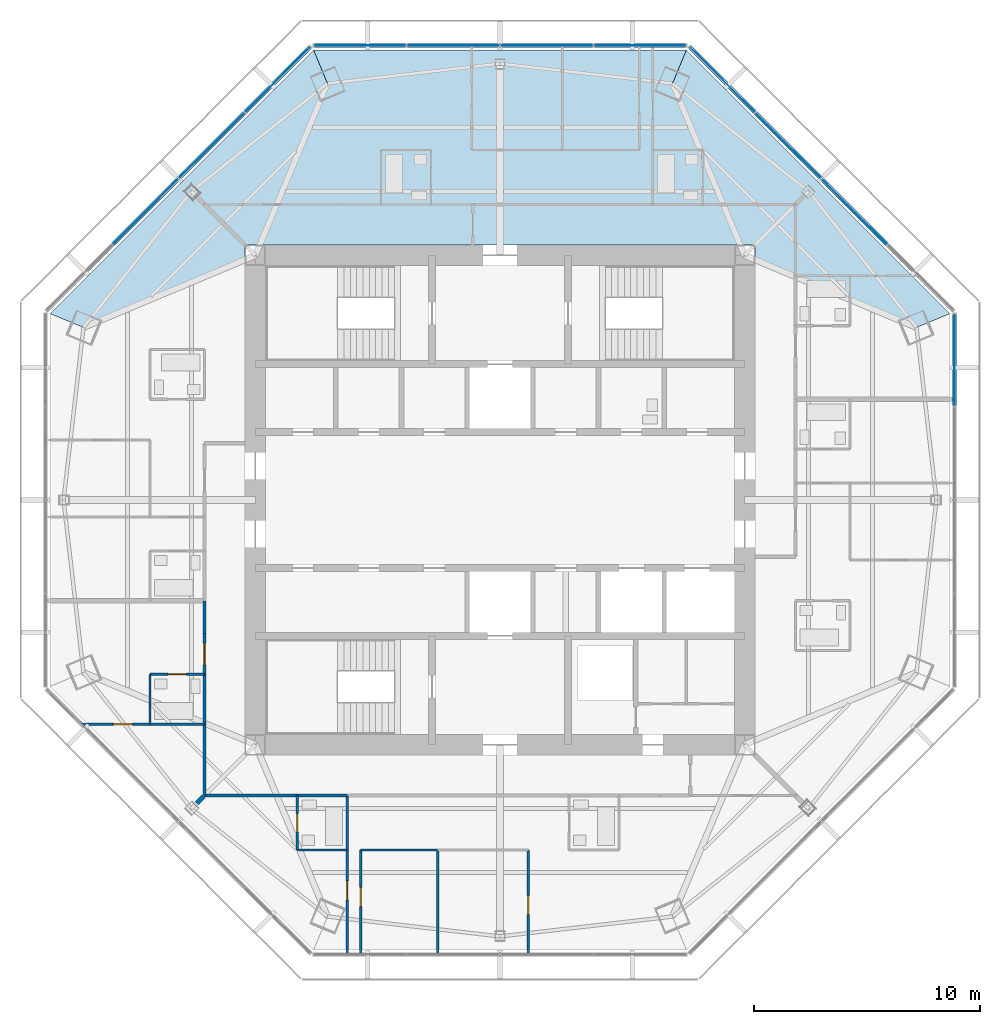
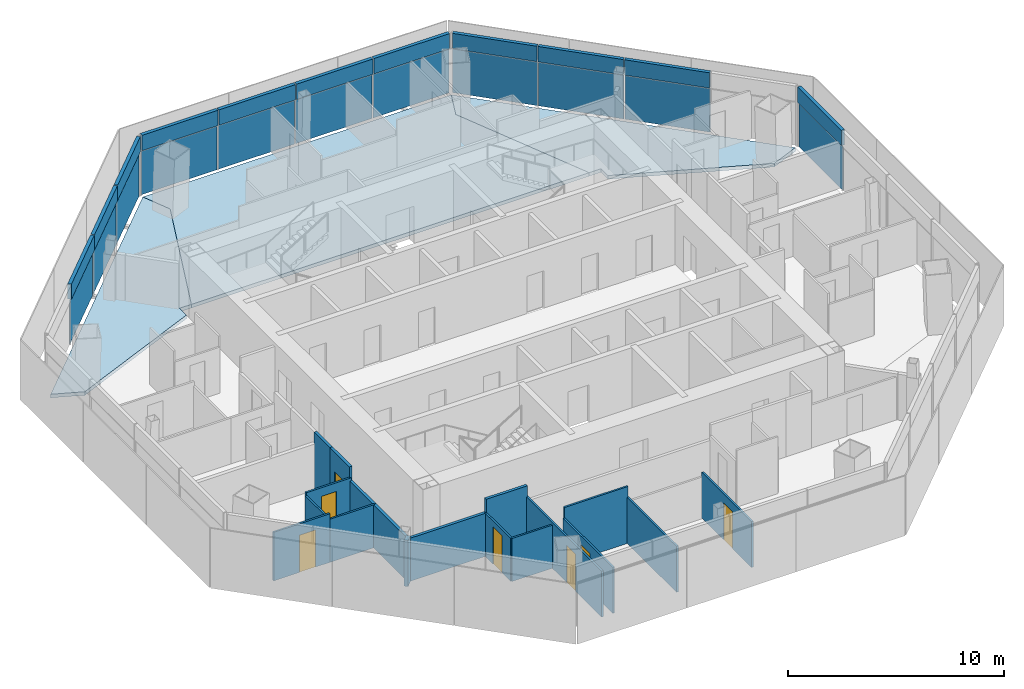
# One storey, part 9 of 15: 22 plates, 18 walls, 7 doors, 3 slabs, 7 openings, 4 elements without a shape of their own.
"""IFC4 building model written with IfcOpenShell, lengths in metres."""

from ifc_helpers import new_model, si_unit, direction, frame, frame_2d, origin, origin_2d, place, context, subcontext, project, spatial, polyline, rectangle, outline, extrude, source, transform, mapped, material, layer, layer_set, type_object, type_shapes, element, fill, aggregate, save


model = new_model("IFC4")

# Units and contexts
model_context = context("Model", 3, precision=1e-05, world=origin(), true_north=direction((0.0, 1.0)))
body_context = subcontext(model_context, "Body", "Model", "MODEL_VIEW")
ifc_project = project(units=[si_unit("LENGTHUNIT", "METRE"), si_unit("AREAUNIT", "SQUARE_METRE"), si_unit("VOLUMEUNIT", "CUBIC_METRE"), si_unit("PLANEANGLEUNIT", "RADIAN"), si_unit("MASSUNIT", "GRAM", prefix="KILO")], contexts=[model_context])

# Site, building, storey
site_placement = place(None, origin())
site = spatial("IfcSite", under=ifc_project, at=site_placement, CompositionType="ELEMENT")
building_placement = place(site_placement, origin())
building = spatial("IfcBuilding", under=site, at=building_placement, Name="Mashrafa Tower", CompositionType="ELEMENT")
storey_placement = place(building_placement, frame((0.0, 0.0, 281.0)))
storey = spatial("IfcBuildingStorey", under=building, at=storey_placement, Name="L68", CompositionType="ELEMENT", Elevation=281.0)

# Slabs
ifc_material_1 = material(Name="Concrete C35/45", Category="concrete")
ifc_layer_1 = layer(ifc_material_1, 0.199951171875)
ifc_layer_set_1 = layer_set([ifc_layer_1], Name="Floor slab 200")
slab_type = type_object("IfcSlabType", Name="Floor slab 200", PredefinedType="FLOOR", material=ifc_layer_set_1)
slab_1_placement = place(storey_placement, frame((0.0, 0.0, -0.199951171875)))
element("IfcSlab", 1, at=slab_1_placement, inside=storey, type_object=slab_type, Name="Floor slab L68 north-east bay", PredefinedType="FLOOR", context=body_context, shape_type="SweptSolid", body=[
    extrude(outline(polyline([(19.86572265625, 8.228515625), (18.39306640625, 7.61865234375), (11.25, 10.611572265625), (11.25, 11.25), (10.611572265625, 11.25), (7.61865234375, 18.39306640625), (8.228515625, 19.86572265625), (19.86572265625, 8.228515625)])), origin(), (0.0, 0.0, 1.0), 0.199951171875),
])
slab_2_placement = place(storey_placement, frame((0.0, 0.0, -0.199951171875)))
element("IfcSlab", 2, at=slab_2_placement, inside=storey, type_object=slab_type, Name="Floor slab L68 north bay", PredefinedType="FLOOR", context=body_context, shape_type="SweptSolid", body=[
    extrude(outline(polyline([(-8.228515625, 19.86572265625), (8.228515625, 19.86572265625), (8.228515625, 19.86572265625), (7.61865234375, 18.39306640625), (10.611572265625, 11.25), (-10.611572265625, 11.25), (-7.61865234375, 18.39306640625), (-8.228515625, 19.86572265625), (-8.228515625, 19.86572265625)])), origin(), (0.0, 0.0, 1.0), 0.199951171875),
])
slab_3_placement = place(storey_placement, frame((0.0, 0.0, -0.199951171875)))
element("IfcSlab", 3, at=slab_3_placement, inside=storey, type_object=slab_type, Name="Floor slab L68 north-west bay", PredefinedType="FLOOR", context=body_context, shape_type="SweptSolid", body=[
    extrude(outline(polyline([(-8.228515625, 19.86572265625), (-7.61865234375, 18.39306640625), (-10.611572265625, 11.25), (-11.25, 11.25), (-11.25, 10.611572265625), (-18.39306640625, 7.61865234375), (-19.86572265625, 8.228515625), (-8.228515625, 19.86572265625)])), origin(), (0.0, 0.0, 1.0), 0.199951171875),
])

# Curtain wall, plate
ifc_material_2 = material(Name="Unitised aluminium curtain wall", Category="aluminium")
curtain_wall_type = type_object("IfcCurtainWallType", Name="Apartment curtain wall, zone 4 CW-D 160 deep", PredefinedType="NOTDEFINED", material=ifc_material_2)
curtain_wall_1_placement = place(storey_placement, origin())
curtain_wall_1 = element("IfcCurtainWall", 4, at=curtain_wall_1_placement, inside=storey, type_object=curtain_wall_type, Name="Apartment curtain wall, zone 4 L68 east", PredefinedType="NOTDEFINED")
ifc_material_3 = material(Name="Insulated double glazing, acoustic", Category="glass")
ifc_layer_2 = layer(ifc_material_3, 0.028076171875)
ifc_layer_set_2 = layer_set([ifc_layer_2], Name="Vision panel CW-D 28")
plate_type_1 = type_object("IfcPlateType", Name="Vision panel CW-D 28", PredefinedType="CURTAIN_PANEL", material=ifc_layer_set_2)
shared_shape_1 = source(origin(), body_context, "Body", "SweptSolid", [
    extrude(rectangle(XDim=4.044189453125, YDim=0.028076171875, at=origin_2d()), origin(), (0.0, 0.0, 1.0), 2.46240234375),
])
plate_1_placement = place(storey_placement, frame((20.065673828125, 6.186279296875, 0.0), z_axis=(0.0, 0.0, 1.0), x_axis=(0.0, 1.0, 0.0)))
plate_1 = element("IfcPlate", 5, at=plate_1_placement, type_object=plate_type_1, Name="CW-D vision panel 4", PredefinedType="CURTAIN_PANEL", context=body_context, shape_type="MappedRepresentation", body=[
    mapped(shared_shape_1, transform((0.0, 0.0, 0.0))),
])

curtain_wall_2_placement = place(storey_placement, origin())
curtain_wall_2 = element("IfcCurtainWall", 6, at=curtain_wall_2_placement, inside=storey, type_object=curtain_wall_type, Name="Apartment curtain wall, zone 4 L68 north-east", PredefinedType="NOTDEFINED")
plate_2_placement = place(storey_placement, frame((9.814208984375, 18.56298828125, 0.0), z_axis=(0.0, 0.0, 1.0), x_axis=(-0.707106781187, 0.707106781187, 0.0)))
plate_2 = element("IfcPlate", 7, at=plate_2_placement, type_object=plate_type_1, Name="CW-D vision panel 4", PredefinedType="CURTAIN_PANEL", context=body_context, shape_type="MappedRepresentation", body=[
    mapped(shared_shape_1, transform((0.0, 0.0, 0.0))),
])

# Curtain wall, plates
curtain_wall_3_placement = place(storey_placement, origin())
curtain_wall_3 = element("IfcCurtainWall", 8, at=curtain_wall_3_placement, inside=storey, type_object=curtain_wall_type, Name="Apartment curtain wall, zone 4 L68 north", PredefinedType="NOTDEFINED")
plate_3_placement = place(storey_placement, frame((6.186279296875, 20.065673828125, 0.0), z_axis=(0.0, 0.0, 1.0), x_axis=(-1.0, 0.0, 0.0)))
plate_3 = element("IfcPlate", 9, at=plate_3_placement, type_object=plate_type_1, Name="CW-D vision panel 1", PredefinedType="CURTAIN_PANEL", context=body_context, shape_type="MappedRepresentation", body=[
    mapped(shared_shape_1, transform((0.0, 0.0, 0.0))),
])
plate_4_placement = place(storey_placement, frame((-6.186279296875, 20.065673828125, 0.0), z_axis=(0.0, 0.0, 1.0), x_axis=(-1.0, 0.0, 0.0)))
plate_4 = element("IfcPlate", 10, at=plate_4_placement, type_object=plate_type_1, Name="CW-D vision panel 4", PredefinedType="CURTAIN_PANEL", context=body_context, shape_type="MappedRepresentation", body=[
    mapped(shared_shape_1, transform((0.0, 0.0, 0.0))),
])

# Curtain wall, plate
curtain_wall_4_placement = place(storey_placement, origin())
curtain_wall_4 = element("IfcCurtainWall", 11, at=curtain_wall_4_placement, inside=storey, type_object=curtain_wall_type, Name="Apartment curtain wall, zone 4 L68 north-west", PredefinedType="NOTDEFINED")
plate_5_placement = place(storey_placement, frame((-9.814208984375, 18.56298828125, 0.0), z_axis=(0.0, 0.0, 1.0), x_axis=(-0.707106781187, -0.707106781187, 0.0)))
plate_5 = element("IfcPlate", 12, at=plate_5_placement, type_object=plate_type_1, Name="CW-D vision panel 1", PredefinedType="CURTAIN_PANEL", context=body_context, shape_type="MappedRepresentation", body=[
    mapped(shared_shape_1, transform((0.0, 0.0, 0.0))),
])

# Plate
ifc_material_4 = material(Name="Insulated bronze aluminium spandrel panel", Category="aluminium")
ifc_layer_3 = layer(ifc_material_4, 0.179931640625)
ifc_layer_set_3 = layer_set([ifc_layer_3], Name="Spandrel panel CW-D 180")
plate_type_2 = type_object("IfcPlateType", Name="Spandrel panel CW-D 180", PredefinedType="CURTAIN_PANEL", material=ifc_layer_set_3)
shared_shape_2 = source(origin(), body_context, "Body", "SweptSolid", [
    extrude(rectangle(XDim=4.044189453125, YDim=0.179931640625, at=origin_2d()), origin(), (0.0, 0.0, 1.0), 0.862548828125),
])
plate_6_placement = place(storey_placement, frame((20.065673828125, 6.186279296875, 2.53759765625), z_axis=(0.0, 0.0, 1.0), x_axis=(0.0, 1.0, 0.0)))
plate_6 = element("IfcPlate", 13, at=plate_6_placement, type_object=plate_type_2, Name="CW-D spandrel panel 4", PredefinedType="CURTAIN_PANEL", context=body_context, shape_type="MappedRepresentation", body=[
    mapped(shared_shape_2, transform((0.0, 0.0, 0.0))),
])

aggregate(curtain_wall_1, [plate_1, plate_6])

plate_7_placement = place(storey_placement, frame((9.814208984375, 18.56298828125, 2.53759765625), z_axis=(0.0, 0.0, 1.0), x_axis=(-0.707106781187, 0.707106781187, 0.0)))
plate_7 = element("IfcPlate", 14, at=plate_7_placement, type_object=plate_type_2, Name="CW-D spandrel panel 4", PredefinedType="CURTAIN_PANEL", context=body_context, shape_type="MappedRepresentation", body=[
    mapped(shared_shape_2, transform((0.0, 0.0, 0.0))),
])

plate_8_placement = place(storey_placement, frame((6.186279296875, 20.065673828125, 2.53759765625), z_axis=(0.0, 0.0, 1.0), x_axis=(-1.0, 0.0, 0.0)))
plate_8 = element("IfcPlate", 15, at=plate_8_placement, type_object=plate_type_2, Name="CW-D spandrel panel 1", PredefinedType="CURTAIN_PANEL", context=body_context, shape_type="MappedRepresentation", body=[
    mapped(shared_shape_2, transform((0.0, 0.0, 0.0))),
])

plate_9_placement = place(storey_placement, frame((-6.186279296875, 20.065673828125, 2.53759765625), z_axis=(0.0, 0.0, 1.0), x_axis=(-1.0, 0.0, 0.0)))
plate_9 = element("IfcPlate", 16, at=plate_9_placement, type_object=plate_type_2, Name="CW-D spandrel panel 4", PredefinedType="CURTAIN_PANEL", context=body_context, shape_type="MappedRepresentation", body=[
    mapped(shared_shape_2, transform((0.0, 0.0, 0.0))),
])

plate_10_placement = place(storey_placement, frame((-9.814208984375, 18.56298828125, 2.53759765625), z_axis=(0.0, 0.0, 1.0), x_axis=(-0.707106781187, -0.707106781187, 0.0)))
plate_10 = element("IfcPlate", 17, at=plate_10_placement, type_object=plate_type_2, Name="CW-D spandrel panel 1", PredefinedType="CURTAIN_PANEL", context=body_context, shape_type="MappedRepresentation", body=[
    mapped(shared_shape_2, transform((0.0, 0.0, 0.0))),
])

shared_shape_3 = source(origin(), body_context, "Body", "SweptSolid", [
    extrude(rectangle(XDim=4.07421875, YDim=0.028076171875, at=origin_2d()), origin(), (0.0, 0.0, 1.0), 2.46240234375),
])
type_shapes(plate_type_1, [shared_shape_1, shared_shape_3])
plate_11_placement = place(storey_placement, frame((15.650146484375, 12.726806640625, 0.0), z_axis=(0.0, 0.0, 1.0), x_axis=(-0.707106781187, 0.707106781187, 0.0)))
plate_11 = element("IfcPlate", 18, at=plate_11_placement, type_object=plate_type_1, Name="CW-D vision panel 2", PredefinedType="CURTAIN_PANEL", context=body_context, shape_type="MappedRepresentation", body=[
    mapped(shared_shape_3, transform((0.0, 0.0, 0.0))),
])

plate_12_placement = place(storey_placement, frame((12.726806640625, 15.650146484375, 0.0), z_axis=(0.0, 0.0, 1.0), x_axis=(-0.707106781187, 0.707106781187, 0.0)))
plate_12 = element("IfcPlate", 19, at=plate_12_placement, type_object=plate_type_1, Name="CW-D vision panel 3", PredefinedType="CURTAIN_PANEL", context=body_context, shape_type="MappedRepresentation", body=[
    mapped(shared_shape_3, transform((0.0, 0.0, 0.0))),
])

plate_13_placement = place(storey_placement, frame((2.067138671875, 20.065673828125, 0.0), z_axis=(0.0, 0.0, 1.0), x_axis=(-1.0, 0.0, 0.0)))
plate_13 = element("IfcPlate", 20, at=plate_13_placement, type_object=plate_type_1, Name="CW-D vision panel 2", PredefinedType="CURTAIN_PANEL", context=body_context, shape_type="MappedRepresentation", body=[
    mapped(shared_shape_3, transform((0.0, 0.0, 0.0))),
])

plate_14_placement = place(storey_placement, frame((-2.067138671875, 20.065673828125, 0.0), z_axis=(0.0, 0.0, 1.0), x_axis=(-1.0, 0.0, 0.0)))
plate_14 = element("IfcPlate", 21, at=plate_14_placement, type_object=plate_type_1, Name="CW-D vision panel 3", PredefinedType="CURTAIN_PANEL", context=body_context, shape_type="MappedRepresentation", body=[
    mapped(shared_shape_3, transform((0.0, 0.0, 0.0))),
])

plate_15_placement = place(storey_placement, frame((-12.726806640625, 15.650146484375, 0.0), z_axis=(0.0, 0.0, 1.0), x_axis=(-0.707106781187, -0.707106781187, 0.0)))
plate_15 = element("IfcPlate", 22, at=plate_15_placement, type_object=plate_type_1, Name="CW-D vision panel 2", PredefinedType="CURTAIN_PANEL", context=body_context, shape_type="MappedRepresentation", body=[
    mapped(shared_shape_3, transform((0.0, 0.0, 0.0))),
])

plate_16_placement = place(storey_placement, frame((-15.650146484375, 12.726806640625, 0.0), z_axis=(0.0, 0.0, 1.0), x_axis=(-0.707106781187, -0.707106781187, 0.0)))
plate_16 = element("IfcPlate", 23, at=plate_16_placement, type_object=plate_type_1, Name="CW-D vision panel 3", PredefinedType="CURTAIN_PANEL", context=body_context, shape_type="MappedRepresentation", body=[
    mapped(shared_shape_3, transform((0.0, 0.0, 0.0))),
])

shared_shape_4 = source(origin(), body_context, "Body", "SweptSolid", [
    extrude(rectangle(XDim=4.07421875, YDim=0.179931640625, at=origin_2d()), origin(), (0.0, 0.0, 1.0), 0.862548828125),
])
type_shapes(plate_type_2, [shared_shape_2, shared_shape_4])
plate_17_placement = place(storey_placement, frame((15.650146484375, 12.726806640625, 2.53759765625), z_axis=(0.0, 0.0, 1.0), x_axis=(-0.707106781187, 0.707106781187, 0.0)))
plate_17 = element("IfcPlate", 24, at=plate_17_placement, type_object=plate_type_2, Name="CW-D spandrel panel 2", PredefinedType="CURTAIN_PANEL", context=body_context, shape_type="MappedRepresentation", body=[
    mapped(shared_shape_4, transform((0.0, 0.0, 0.0))),
])

plate_18_placement = place(storey_placement, frame((12.726806640625, 15.650146484375, 2.53759765625), z_axis=(0.0, 0.0, 1.0), x_axis=(-0.707106781187, 0.707106781187, 0.0)))
plate_18 = element("IfcPlate", 25, at=plate_18_placement, type_object=plate_type_2, Name="CW-D spandrel panel 3", PredefinedType="CURTAIN_PANEL", context=body_context, shape_type="MappedRepresentation", body=[
    mapped(shared_shape_4, transform((0.0, 0.0, 0.0))),
])

aggregate(curtain_wall_2, [plate_11, plate_17, plate_12, plate_18, plate_2, plate_7])

plate_19_placement = place(storey_placement, frame((2.067138671875, 20.065673828125, 2.53759765625), z_axis=(0.0, 0.0, 1.0), x_axis=(-1.0, 0.0, 0.0)))
plate_19 = element("IfcPlate", 26, at=plate_19_placement, type_object=plate_type_2, Name="CW-D spandrel panel 2", PredefinedType="CURTAIN_PANEL", context=body_context, shape_type="MappedRepresentation", body=[
    mapped(shared_shape_4, transform((0.0, 0.0, 0.0))),
])

plate_20_placement = place(storey_placement, frame((-2.067138671875, 20.065673828125, 2.53759765625), z_axis=(0.0, 0.0, 1.0), x_axis=(-1.0, 0.0, 0.0)))
plate_20 = element("IfcPlate", 27, at=plate_20_placement, type_object=plate_type_2, Name="CW-D spandrel panel 3", PredefinedType="CURTAIN_PANEL", context=body_context, shape_type="MappedRepresentation", body=[
    mapped(shared_shape_4, transform((0.0, 0.0, 0.0))),
])

aggregate(curtain_wall_3, [plate_3, plate_8, plate_13, plate_19, plate_14, plate_20, plate_4, plate_9])

plate_21_placement = place(storey_placement, frame((-12.726806640625, 15.650146484375, 2.53759765625), z_axis=(0.0, 0.0, 1.0), x_axis=(-0.707106781187, -0.707106781187, 0.0)))
plate_21 = element("IfcPlate", 28, at=plate_21_placement, type_object=plate_type_2, Name="CW-D spandrel panel 2", PredefinedType="CURTAIN_PANEL", context=body_context, shape_type="MappedRepresentation", body=[
    mapped(shared_shape_4, transform((0.0, 0.0, 0.0))),
])

plate_22_placement = place(storey_placement, frame((-15.650146484375, 12.726806640625, 2.53759765625), z_axis=(0.0, 0.0, 1.0), x_axis=(-0.707106781187, -0.707106781187, 0.0)))
plate_22 = element("IfcPlate", 29, at=plate_22_placement, type_object=plate_type_2, Name="CW-D spandrel panel 3", PredefinedType="CURTAIN_PANEL", context=body_context, shape_type="MappedRepresentation", body=[
    mapped(shared_shape_4, transform((0.0, 0.0, 0.0))),
])

aggregate(curtain_wall_4, [plate_5, plate_10, plate_15, plate_21, plate_16, plate_22])

# Walls
ifc_material_5 = material(Name="Gypsum board on steel studs", Category="steel")
ifc_layer_4 = layer(ifc_material_5, 0.199951171875)
ifc_layer_set_4 = layer_set([ifc_layer_4], Name="Acoustic partition 200 1 hr")
wall_type_1 = type_object("IfcWallType", Name="Acoustic partition 200 1 hr", PredefinedType="PARTITIONING", material=ifc_layer_set_4)
wall_1_placement = place(storey_placement, frame((-13.382080078125, -13.382080078125, 0.0), z_axis=(0.0, 0.0, 1.0), x_axis=(0.707106781187, 0.707106781187, 0.0)))
element("IfcWall", 30, at=wall_1_placement, inside=storey, type_object=wall_type_1, Name="Acoustic wall L68-082", PredefinedType="PARTITIONING", context=body_context, shape_type="SweptSolid", body=[
    extrude(rectangle(XDim=0.416748046875, YDim=0.199951171875, at=frame_2d((0.20849609375, 0.0))), origin(), (0.0, 0.0, 1.0), 2.590576171875),
])
ifc_material_6 = material(Name="Gypsum board on steel studs", Category="steel")
ifc_layer_5 = layer(ifc_material_6, 0.14990234375)
ifc_layer_set_5 = layer_set([ifc_layer_5], Name="Corridor partition 150 1 hr")
wall_type_2 = type_object("IfcWallType", Name="Corridor partition 150 1 hr", PredefinedType="PARTITIONING", material=ifc_layer_set_5)
wall_2_placement = place(storey_placement, frame((-13.050048828125, -9.89892578125, 0.0), z_axis=(0.0, 0.0, 1.0), x_axis=(0.0, -1.0, 0.0)))
element("IfcWall", 31, at=wall_2_placement, inside=storey, type_object=wall_type_2, Name="Corridor wall L68-017", PredefinedType="PARTITIONING", context=body_context, shape_type="SweptSolid", body=[
    extrude(rectangle(XDim=3.151123046875, YDim=0.14990234375, at=frame_2d((1.57568359375, 0.0))), origin(), (0.0, 0.0, 1.0), 2.427978515625),
])
wall_3_placement = place(storey_placement, frame((-13.050048828125, -7.698974609375, 0.0), z_axis=(0.0, 0.0, 1.0), x_axis=(0.0, -1.0, 0.0)))
element("IfcWall", 32, at=wall_3_placement, inside=storey, type_object=wall_type_2, Name="Corridor wall L68-018", PredefinedType="PARTITIONING", context=body_context, shape_type="SweptSolid", body=[
    extrude(rectangle(XDim=2.201904296875, YDim=0.14990234375, at=frame_2d((1.10107421875, 0.0))), origin(), (0.0, 0.0, 1.0), 2.427978515625),
])
wall_4_placement = place(storey_placement, frame((-13.050048828125, -4.448974609375, 0.0), z_axis=(0.0, 0.0, 1.0), x_axis=(0.0, -1.0, 0.0)))
element("IfcWall", 33, at=wall_4_placement, inside=storey, type_object=wall_type_2, Name="Corridor wall L68-019", PredefinedType="PARTITIONING", context=body_context, shape_type="SweptSolid", body=[
    extrude(rectangle(XDim=1.451904296875, YDim=0.14990234375, at=frame_2d((0.72607421875, 0.0))), origin(), (0.0, 0.0, 1.0), 3.199951171875),
])

# Wall, opening, door
wall_5_placement = place(storey_placement, frame((-13.050048828125, -5.89892578125, 0.0), z_axis=(0.0, 0.0, 1.0), x_axis=(0.0, -1.0, 0.0)))
wall_5 = element("IfcWall", 34, at=wall_5_placement, inside=storey, type_object=wall_type_2, Name="Corridor wall L68-020", PredefinedType="PARTITIONING", context=body_context, shape_type="SweptSolid", body=[
    extrude(rectangle(XDim=1.802001953125, YDim=0.14990234375, at=frame_2d((0.90087890625, 0.0))), origin(), (0.0, 0.0, 1.0), 3.199951171875),
])
opening_1_placement = place(wall_5_placement, frame((0.426025390625, 0.0, 0.0)))
opening_1 = element("IfcOpeningElement", 35, at=opening_1_placement, cuts=wall_5, Name="Opening 68.023", PredefinedType="OPENING", context=body_context, shape_type="SweptSolid", body=[
    extrude(rectangle(XDim=0.949951171875, YDim=2.10009765625, at=frame_2d((0.47509765625, 1.050048828125))), frame((0.0, 0.0849609375, 0.0), z_axis=(0.0, -1.0, 0.0), x_axis=(1.0, 0.0, 0.0)), (0.0, 0.0, 1.0), 0.169921875),
])
ifc_material_7 = material(Name="Steel door", Category="steel")
door_type_1 = type_object("IfcDoorType", Name="Residence entrance door 950 x 2100 20 min", OperationType="USERDEFINED", PredefinedType="DOOR", material=ifc_material_7)
door_1_placement = place(opening_1_placement, frame((0.949951171875, 0.0, 0.0), z_axis=(0.0, 0.0, 1.0), x_axis=(-1.0, 0.0, 0.0)))
door_1 = element("IfcDoor", 36, at=door_1_placement, inside=storey, type_object=door_type_1, Name="Apartment 6805 Living Room door", OperationType="SINGLE_SWING_RIGHT", OverallHeight=2.10009765625, OverallWidth=0.949951171875, PredefinedType="DOOR", context=body_context, shape_type="SweptSolid", body=[
    extrude(rectangle(XDim=0.949951171875, YDim=2.10009765625, at=frame_2d((0.47509765625, 1.050048828125))), frame((0.0, 0.02490234375, 0.0), z_axis=(0.0, -1.0, 0.0), x_axis=(1.0, 0.0, 0.0)), (0.0, 0.0, 1.0), 0.050048828125),
])
fill(opening_1, door_1)

# Walls
wall_6_placement = place(storey_placement, frame((-8.950927734375, -13.050048828125, 0.0), z_axis=(0.0, 0.0, 1.0), x_axis=(1.0, 0.0, 0.0)))
element("IfcWall", 37, at=wall_6_placement, inside=storey, type_object=wall_type_2, Name="Corridor wall L68-023", PredefinedType="PARTITIONING", context=body_context, shape_type="SweptSolid", body=[
    extrude(rectangle(XDim=2.201904296875, YDim=0.14990234375, at=frame_2d((1.10107421875, 0.0))), origin(), (0.0, 0.0, 1.0), 3.199951171875),
])
wall_7_placement = place(storey_placement, frame((-13.050048828125, -13.050048828125, 0.0), z_axis=(0.0, 0.0, 1.0), x_axis=(1.0, 0.0, 0.0)))
element("IfcWall", 38, at=wall_7_placement, inside=storey, type_object=wall_type_2, Name="Corridor wall L68-024", PredefinedType="PARTITIONING", context=body_context, shape_type="SweptSolid", body=[
    extrude(rectangle(XDim=4.10107421875, YDim=0.14990234375, at=frame_2d((2.050537109375, 0.0))), origin(), (0.0, 0.0, 1.0), 2.427978515625),
])
ifc_material_8 = material(Name="Gypsum board on steel studs", Category="steel")
ifc_layer_6 = layer(ifc_material_8, 0.10009765625)
ifc_layer_set_6 = layer_set([ifc_layer_6], Name="Partition 100")
wall_type_3 = type_object("IfcWallType", Name="Partition 100", PredefinedType="PARTITIONING", material=ifc_layer_set_6)
wall_8_placement = place(storey_placement, frame((-2.75, -20.047607421875, 0.0), z_axis=(0.0, 0.0, 1.0), x_axis=(0.0, 1.0, 0.0)))
element("IfcWall", 39, at=wall_8_placement, inside=storey, type_object=wall_type_3, Name="Partition wall L68-031", PredefinedType="PARTITIONING", context=body_context, shape_type="SweptSolid", body=[
    extrude(rectangle(XDim=4.59765625, YDim=0.10009765625, at=frame_2d((2.298828125, 0.0))), origin(), (0.0, 0.0, 1.0), 2.590576171875),
])
wall_9_placement = place(storey_placement, frame((-2.75, -15.449951171875, 0.0), z_axis=(0.0, 0.0, 1.0), x_axis=(-1.0, 0.0, 0.0)))
element("IfcWall", 40, at=wall_9_placement, inside=storey, type_object=wall_type_3, Name="Partition wall L68-032", PredefinedType="PARTITIONING", context=body_context, shape_type="SweptSolid", body=[
    extrude(rectangle(XDim=3.39990234375, YDim=0.10009765625, at=frame_2d((1.699951171875, 0.0))), origin(), (0.0, 0.0, 1.0), 3.199951171875),
])

# Wall, opening, door
wall_10_placement = place(storey_placement, frame((-6.14990234375, -15.449951171875, 0.0), z_axis=(0.0, 0.0, 1.0), x_axis=(0.0, -1.0, 0.0)))
wall_10 = element("IfcWall", 41, at=wall_10_placement, inside=storey, type_object=wall_type_3, Name="Partition wall L68-033", PredefinedType="PARTITIONING", context=body_context, shape_type="SweptSolid", body=[
    extrude(rectangle(XDim=4.599609375, YDim=0.10009765625, at=frame_2d((2.2998046875, 0.0))), origin(), (0.0, 0.0, 1.0), 2.590576171875),
])
opening_2_placement = place(wall_10_placement, frame((1.65771484375, 0.0, 0.0)))
opening_2 = element("IfcOpeningElement", 42, at=opening_2_placement, cuts=wall_10, Name="Opening 68.002", PredefinedType="OPENING", context=body_context, shape_type="SweptSolid", body=[
    extrude(rectangle(XDim=0.85009765625, YDim=2.10009765625, at=frame_2d((0.425048828125, 1.050048828125))), frame((0.0, 0.06005859375, 0.0), z_axis=(0.0, -1.0, 0.0), x_axis=(1.0, 0.0, 0.0)), (0.0, 0.0, 1.0), 0.1201171875),
])
ifc_material_9 = material(Name="Timber door", Category="wood")
door_type_2 = type_object("IfcDoorType", Name="Bedroom door 850 x 2100", OperationType="USERDEFINED", PredefinedType="DOOR", material=ifc_material_9)
door_2_placement = place(opening_2_placement, origin())
door_2 = element("IfcDoor", 43, at=door_2_placement, inside=storey, type_object=door_type_2, Name="Apartment 6806 Dining Room door", OperationType="SINGLE_SWING_LEFT", OverallHeight=2.10009765625, OverallWidth=0.85009765625, PredefinedType="DOOR", context=body_context, shape_type="SweptSolid", body=[
    extrude(rectangle(XDim=0.85009765625, YDim=2.10009765625, at=frame_2d((0.425048828125, 1.050048828125))), frame((0.0, 0.02490234375, 0.0), z_axis=(0.0, -1.0, 0.0), x_axis=(1.0, 0.0, 0.0)), (0.0, 0.0, 1.0), 0.050048828125),
])
fill(opening_2, door_2)

# Wall
wall_11_placement = place(storey_placement, frame((-13.050048828125, -9.89990234375, 0.0), z_axis=(0.0, 0.0, 1.0), x_axis=(-1.0, 0.0, 0.0)))
element("IfcWall", 44, at=wall_11_placement, inside=storey, type_object=wall_type_3, Name="Partition wall L68-080", PredefinedType="PARTITIONING", context=body_context, shape_type="SweptSolid", body=[
    extrude(rectangle(XDim=2.40087890625, YDim=0.10009765625, at=frame_2d((1.200439453125, 0.0))), origin(), (0.0, 0.0, 1.0), 2.427978515625),
])

# Wall, opening, door
wall_12_placement = place(storey_placement, frame((-15.448974609375, -9.89990234375, 0.0), z_axis=(0.0, 0.0, 1.0), x_axis=(-1.0, 0.0, 0.0)))
wall_12 = element("IfcWall", 45, at=wall_12_placement, inside=storey, type_object=wall_type_3, Name="Partition wall L68-081", PredefinedType="PARTITIONING", context=body_context, shape_type="SweptSolid", body=[
    extrude(rectangle(XDim=3.00634765625, YDim=0.10009765625, at=frame_2d((1.503173828125, 0.0))), origin(), (0.0, 0.0, 1.0), 2.740478515625),
])
opening_3_placement = place(wall_12_placement, frame((0.770751953125, 0.0, 0.0)))
opening_3 = element("IfcOpeningElement", 46, at=opening_3_placement, cuts=wall_12, Name="Opening 68.021", PredefinedType="OPENING", context=body_context, shape_type="SweptSolid", body=[
    extrude(rectangle(XDim=0.85009765625, YDim=2.10009765625, at=frame_2d((0.425048828125, 1.050048828125))), frame((0.0, 0.06005859375, 0.0), z_axis=(0.0, -1.0, 0.0), x_axis=(1.0, 0.0, 0.0)), (0.0, 0.0, 1.0), 0.1201171875),
])
door_3_placement = place(opening_3_placement, origin())
door_3 = element("IfcDoor", 47, at=door_3_placement, inside=storey, type_object=door_type_2, Name="Apartment 6805 Bedroom 1 door", OperationType="SINGLE_SWING_RIGHT", OverallHeight=2.10009765625, OverallWidth=0.85009765625, PredefinedType="DOOR", context=body_context, shape_type="SweptSolid", body=[
    extrude(rectangle(XDim=0.85009765625, YDim=2.10009765625, at=frame_2d((0.425048828125, 1.050048828125))), frame((0.0, 0.02490234375, 0.0), z_axis=(0.0, -1.0, 0.0), x_axis=(1.0, 0.0, 0.0)), (0.0, 0.0, 1.0), 0.050048828125),
])
fill(opening_3, door_3)

wall_13_placement = place(storey_placement, frame((-13.050048828125, -7.699951171875, 0.0), z_axis=(0.0, 0.0, 1.0), x_axis=(-1.0, 0.0, 0.0)))
wall_13 = element("IfcWall", 48, at=wall_13_placement, inside=storey, type_object=wall_type_3, Name="Partition wall L68-083", PredefinedType="PARTITIONING", context=body_context, shape_type="SweptSolid", body=[
    extrude(rectangle(XDim=2.39990234375, YDim=0.10009765625, at=frame_2d((1.199951171875, 0.0))), origin(), (0.0, 0.0, 1.0), 2.590576171875),
])
opening_4_placement = place(wall_13_placement, frame((0.800048828125, 0.0, 0.0)))
opening_4 = element("IfcOpeningElement", 49, at=opening_4_placement, cuts=wall_13, Name="Opening 68.022", PredefinedType="OPENING", context=body_context, shape_type="SweptSolid", body=[
    extrude(rectangle(XDim=0.800048828125, YDim=2.10009765625, at=frame_2d((0.39990234375, 1.050048828125))), frame((0.0, 0.06005859375, 0.0), z_axis=(0.0, -1.0, 0.0), x_axis=(1.0, 0.0, 0.0)), (0.0, 0.0, 1.0), 0.1201171875),
])
ifc_material_10 = material(Name="Timber door", Category="wood")
door_type_3 = type_object("IfcDoorType", Name="Bathroom door 800 x 2100", OperationType="USERDEFINED", PredefinedType="DOOR", material=ifc_material_10)
door_4_placement = place(opening_4_placement, origin())
door_4 = element("IfcDoor", 50, at=door_4_placement, inside=storey, type_object=door_type_3, Name="Apartment 6805 Bathroom door", OperationType="SINGLE_SWING_RIGHT", OverallHeight=2.10009765625, OverallWidth=0.800048828125, PredefinedType="DOOR", context=body_context, shape_type="SweptSolid", body=[
    extrude(rectangle(XDim=0.800048828125, YDim=2.10009765625, at=frame_2d((0.39990234375, 1.050048828125))), frame((0.0, 0.02490234375, 0.0), z_axis=(0.0, -1.0, 0.0), x_axis=(1.0, 0.0, 0.0)), (0.0, 0.0, 1.0), 0.050048828125),
])
fill(opening_4, door_4)

# Wall
wall_14_placement = place(storey_placement, frame((-15.449951171875, -7.699951171875, 0.0), z_axis=(0.0, 0.0, 1.0), x_axis=(0.0, -1.0, 0.0)))
element("IfcWall", 51, at=wall_14_placement, inside=storey, type_object=wall_type_3, Name="Partition wall L68-084", PredefinedType="PARTITIONING", context=body_context, shape_type="SweptSolid", body=[
    extrude(rectangle(XDim=2.199951171875, YDim=0.10009765625, at=frame_2d((1.10009765625, 0.0))), origin(), (0.0, 0.0, 1.0), 2.427978515625),
])

# Wall, opening, door
wall_15_placement = place(storey_placement, frame((1.25, -20.049560546875, 0.0), z_axis=(0.0, 0.0, 1.0), x_axis=(0.0, 1.0, 0.0)))
wall_15 = element("IfcWall", 52, at=wall_15_placement, inside=storey, type_object=wall_type_3, Name="Partition wall L68-088", PredefinedType="PARTITIONING", context=body_context, shape_type="SweptSolid", body=[
    extrude(rectangle(XDim=4.599609375, YDim=0.10009765625, at=frame_2d((2.2998046875, 0.0))), origin(), (0.0, 0.0, 1.0), 2.590576171875),
])
opening_5_placement = place(wall_15_placement, frame((1.73681640625, 0.0, 0.0)))
opening_5 = element("IfcOpeningElement", 53, at=opening_5_placement, cuts=wall_15, Name="Opening 68.025", PredefinedType="OPENING", context=body_context, shape_type="SweptSolid", body=[
    extrude(rectangle(XDim=0.85009765625, YDim=2.10009765625, at=frame_2d((0.425048828125, 1.050048828125))), frame((0.0, 0.06005859375, 0.0), z_axis=(0.0, -1.0, 0.0), x_axis=(1.0, 0.0, 0.0)), (0.0, 0.0, 1.0), 0.1201171875),
])
door_5_placement = place(opening_5_placement, origin())
door_5 = element("IfcDoor", 54, at=door_5_placement, inside=storey, type_object=door_type_2, Name="Apartment 6806 Bedroom 1 door", OperationType="SINGLE_SWING_LEFT", OverallHeight=2.10009765625, OverallWidth=0.85009765625, PredefinedType="DOOR", context=body_context, shape_type="SweptSolid", body=[
    extrude(rectangle(XDim=0.85009765625, YDim=2.10009765625, at=frame_2d((0.425048828125, 1.050048828125))), frame((0.0, 0.02490234375, 0.0), z_axis=(0.0, -1.0, 0.0), x_axis=(1.0, 0.0, 0.0)), (0.0, 0.0, 1.0), 0.050048828125),
])
fill(opening_5, door_5)

wall_16_placement = place(storey_placement, frame((-8.949951171875, -13.050048828125, 0.0), z_axis=(0.0, 0.0, 1.0), x_axis=(0.0, -1.0, 0.0)))
wall_16 = element("IfcWall", 55, at=wall_16_placement, inside=storey, type_object=wall_type_3, Name="Partition wall L68-090", PredefinedType="PARTITIONING", context=body_context, shape_type="SweptSolid", body=[
    extrude(rectangle(XDim=2.39990234375, YDim=0.10009765625, at=frame_2d((1.199951171875, 0.0))), origin(), (0.0, 0.0, 1.0), 2.427978515625),
])
opening_6_placement = place(wall_16_placement, frame((0.800048828125, 0.0, 0.0)))
opening_6 = element("IfcOpeningElement", 56, at=opening_6_placement, cuts=wall_16, Name="Opening 68.026", PredefinedType="OPENING", context=body_context, shape_type="SweptSolid", body=[
    extrude(rectangle(XDim=0.800048828125, YDim=2.10009765625, at=frame_2d((0.39990234375, 1.050048828125))), frame((0.0, 0.06005859375, 0.0), z_axis=(0.0, -1.0, 0.0), x_axis=(1.0, 0.0, 0.0)), (0.0, 0.0, 1.0), 0.1201171875),
])
door_6_placement = place(opening_6_placement, origin())
door_6 = element("IfcDoor", 57, at=door_6_placement, inside=storey, type_object=door_type_3, Name="Apartment 6806 En-suite Bathroom door", OperationType="SINGLE_SWING_LEFT", OverallHeight=2.10009765625, OverallWidth=0.800048828125, PredefinedType="DOOR", context=body_context, shape_type="SweptSolid", body=[
    extrude(rectangle(XDim=0.800048828125, YDim=2.10009765625, at=frame_2d((0.39990234375, 1.050048828125))), frame((0.0, 0.02490234375, 0.0), z_axis=(0.0, -1.0, 0.0), x_axis=(1.0, 0.0, 0.0)), (0.0, 0.0, 1.0), 0.050048828125),
])
fill(opening_6, door_6)

# Wall
wall_17_placement = place(storey_placement, frame((-8.949951171875, -15.449951171875, 0.0), z_axis=(0.0, 0.0, 1.0), x_axis=(1.0, 0.0, 0.0)))
element("IfcWall", 58, at=wall_17_placement, inside=storey, type_object=wall_type_3, Name="Partition wall L68-091", PredefinedType="PARTITIONING", context=body_context, shape_type="SweptSolid", body=[
    extrude(rectangle(XDim=2.199951171875, YDim=0.10009765625, at=frame_2d((1.10009765625, 0.0))), origin(), (0.0, 0.0, 1.0), 2.427978515625),
])

# Wall, opening, door
wall_18_placement = place(storey_placement, frame((-6.75, -13.050048828125, 0.0), z_axis=(0.0, 0.0, 1.0), x_axis=(0.0, -1.0, 0.0)))
wall_18 = element("IfcWall", 59, at=wall_18_placement, inside=storey, type_object=wall_type_3, Name="Partition wall L68-092", PredefinedType="PARTITIONING", context=body_context, shape_type="SweptSolid", body=[
    extrude(rectangle(XDim=6.99951171875, YDim=0.10009765625, at=frame_2d((3.499755859375, 0.0))), origin(), (0.0, 0.0, 1.0), 2.590576171875),
])
opening_7_placement = place(wall_18_placement, frame((3.762939453125, 0.0, 0.0)))
opening_7 = element("IfcOpeningElement", 60, at=opening_7_placement, cuts=wall_18, Name="Opening 68.027", PredefinedType="OPENING", context=body_context, shape_type="SweptSolid", body=[
    extrude(rectangle(XDim=0.85009765625, YDim=2.10009765625, at=frame_2d((0.425048828125, 1.050048828125))), frame((0.0, 0.06005859375, 0.0), z_axis=(0.0, -1.0, 0.0), x_axis=(1.0, 0.0, 0.0)), (0.0, 0.0, 1.0), 0.1201171875),
])
door_7_placement = place(opening_7_placement, frame((0.85009765625, 0.0, 0.0), z_axis=(0.0, 0.0, 1.0), x_axis=(-1.0, 0.0, 0.0)))
door_7 = element("IfcDoor", 61, at=door_7_placement, inside=storey, type_object=door_type_2, Name="Apartment 6806 Bedroom 2 door", OperationType="SINGLE_SWING_RIGHT", OverallHeight=2.10009765625, OverallWidth=0.85009765625, PredefinedType="DOOR", context=body_context, shape_type="SweptSolid", body=[
    extrude(rectangle(XDim=0.85009765625, YDim=2.10009765625, at=frame_2d((0.425048828125, 1.050048828125))), frame((0.0, 0.02490234375, 0.0), z_axis=(0.0, -1.0, 0.0), x_axis=(1.0, 0.0, 0.0)), (0.0, 0.0, 1.0), 0.050048828125),
])
fill(opening_7, door_7)

save(model, "model.ifc")
